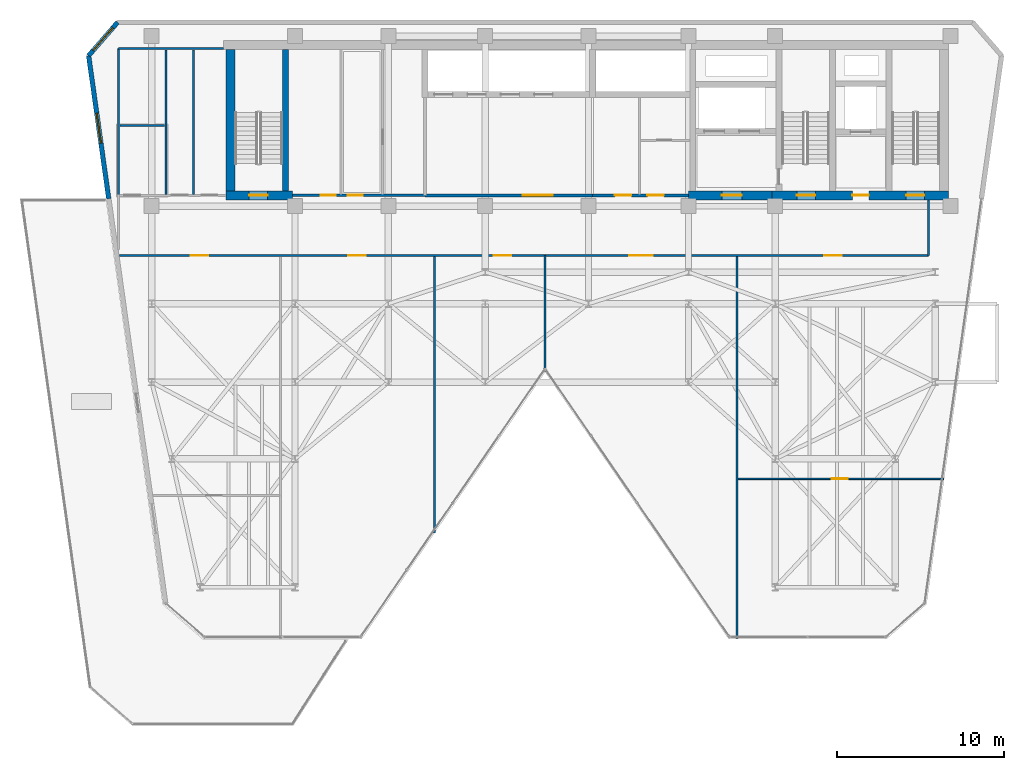
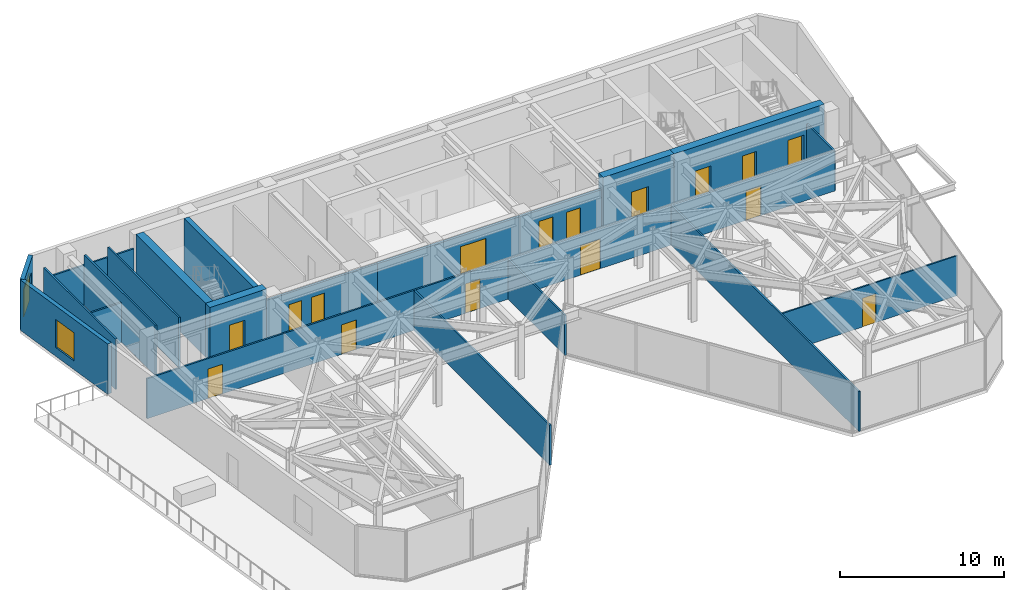
# One storey, part 17 of 21: 22 walls, 16 doors, 2 windows, 18 openings.
"""IFC4 building model written with IfcOpenShell, lengths in metres."""

from ifc_helpers import new_model, si_unit, direction, frame, frame_2d, origin, place, context, subcontext, project, spatial, rectangle, extrude, material, layer, layer_set, type_object, element, fill, save


model = new_model("IFC4")

# Units and contexts
model_context = context("Model", 3, precision=1e-05, world=origin(), true_north=direction((0.0, 1.0)))
body_context = subcontext(model_context, "Body", "Model", "MODEL_VIEW")
ifc_project = project(units=[si_unit("LENGTHUNIT", "METRE"), si_unit("AREAUNIT", "SQUARE_METRE"), si_unit("VOLUMEUNIT", "CUBIC_METRE"), si_unit("PLANEANGLEUNIT", "RADIAN"), si_unit("MASSUNIT", "GRAM", prefix="KILO")], contexts=[model_context])

# Site, building, storey
site_placement = place(None, origin())
site = spatial("IfcSite", under=ifc_project, at=site_placement, CompositionType="ELEMENT")
building_placement = place(site_placement, origin())
building = spatial("IfcBuilding", under=site, at=building_placement, Name="Kravanh Interchange Tower", CompositionType="ELEMENT")
storey_placement = place(building_placement, frame((0.0, 0.0, 160.5)))
storey = spatial("IfcBuildingStorey", under=building, at=storey_placement, Name="L38", CompositionType="ELEMENT", Elevation=160.5)

# Walls
ifc_material_1 = material(Name="Double Acoustic Gypsum Board and Mineral Wool")
ifc_layer_1 = layer(ifc_material_1, 0.1201171875)
ifc_layer_set_1 = layer_set([ifc_layer_1], Name="Acoustic Office Drywall Partition 120mm")
wall_type_1 = type_object("IfcWallType", Name="Acoustic Office Drywall Partition 120mm", PredefinedType="PARTITIONING", material=ifc_layer_set_1)
wall_1_placement = place(storey_placement, frame((16.6201171875, 38.0, 0.0), z_axis=(0.0, 0.0, 1.0), x_axis=(0.0, 1.0, 0.0)))
element("IfcWall", 1, at=wall_1_placement, inside=storey, type_object=wall_type_1, Name="L38 Restroom West Enclosure 10", PredefinedType="PARTITIONING", context=body_context, shape_type="SweptSolid", body=[
    extrude(rectangle(XDim=8.800048828125, YDim=0.1201171875, at=frame_2d((4.39990234375, 0.0))), origin(), (0.0, 0.0, 1.0), 3.7548828125),
])
wall_2_placement = place(storey_placement, frame((16.6201171875, 46.800048828125, 0.0), z_axis=(0.0, 0.0, 1.0), x_axis=(1.0, 0.0, 0.0)))
element("IfcWall", 2, at=wall_2_placement, inside=storey, type_object=wall_type_1, Name="L38 Restroom North Enclosure 11", PredefinedType="PARTITIONING", context=body_context, shape_type="SweptSolid", body=[
    extrude(rectangle(XDim=6.27978515625, YDim=0.1201171875, at=frame_2d((3.139892578125, 0.0))), origin(), (0.0, 0.0, 1.0), 2.98193359375),
])
for number, where, z_axis, x_axis, name in (
    (3, (19.449951171875, 38.068115234375, 0.0), (0.0, 0.0, 1.0), (0.0, 1.0, 0.0), "L38 Interior Partition 12"),
    (4, (21.110107421875, 38.068115234375, 0.0), (0.0, 0.0, 1.0), (0.0, 1.0, 0.0), "L38 Interior Partition 13"),
):
    element("IfcWall", number, at=place(storey_placement, frame(where, z_axis=z_axis, x_axis=x_axis)), inside=storey, type_object=wall_type_1, Name=name, PredefinedType="PARTITIONING", context=body_context, shape_type="SweptSolid", body=[
        extrude(rectangle(XDim=8.663818359375, YDim=0.1201171875, at=frame_2d((4.33203125, 0.0))), origin(), (0.0, 0.0, 1.0), 3.7548828125),
    ])
wall_3_placement = place(storey_placement, frame((16.68798828125, 42.199951171875, 0.0), z_axis=(0.0, 0.0, 1.0), x_axis=(1.0, 0.0, 0.0)))
element("IfcWall", 5, at=wall_3_placement, inside=storey, type_object=wall_type_1, Name="L38 Interior Partition 14", PredefinedType="PARTITIONING", context=body_context, shape_type="SweptSolid", body=[
    extrude(rectangle(XDim=2.694091796875, YDim=0.1201171875, at=frame_2d((1.34716796875, 0.0))), origin(), (0.0, 0.0, 1.0), 2.98193359375),
])

# Wall, openings, doors
wall_4_placement = place(storey_placement, frame((16.66943359375, 34.39990234375, 0.0), z_axis=(0.0, 0.0, 1.0), x_axis=(1.0, 0.0, 0.0)))
wall_4 = element("IfcWall", 6, at=wall_4_placement, inside=storey, type_object=wall_type_1, Name="L38 Interior Partition 15", PredefinedType="PARTITIONING", context=body_context, shape_type="SweptSolid", body=[
    extrude(rectangle(XDim=25.530517578125, YDim=0.1201171875, at=frame_2d((12.76513671875, 0.0))), origin(), (0.0, 0.0, 1.0), 2.98193359375),
])
opening_1_placement = place(wall_4_placement, frame((4.285400390625, 0.0, 0.0)))
opening_1 = element("IfcOpeningElement", 7, at=opening_1_placement, cuts=wall_4, Name="Opening D-105", PredefinedType="OPENING", context=body_context, shape_type="SweptSolid", body=[
    extrude(rectangle(XDim=1.050048828125, YDim=2.199951171875, at=frame_2d((0.52490234375, 1.10009765625))), frame((0.0, 0.070068359375, 0.0), z_axis=(0.0, -1.0, 0.0), x_axis=(1.0, 0.0, 0.0)), (0.0, 0.0, 1.0), 0.14013671875),
])
opening_2_placement = place(wall_4_placement, frame((13.710205078125, 0.0, 0.0)))
opening_2 = element("IfcOpeningElement", 8, at=opening_2_placement, cuts=wall_4, Name="Opening D-105", PredefinedType="OPENING", context=body_context, shape_type="SweptSolid", body=[
    extrude(rectangle(XDim=1.050048828125, YDim=2.199951171875, at=frame_2d((0.52490234375, 1.10009765625))), frame((0.0, 0.070068359375, 0.0), z_axis=(0.0, -1.0, 0.0), x_axis=(1.0, 0.0, 0.0)), (0.0, 0.0, 1.0), 0.14013671875),
])
opening_3_placement = place(wall_4_placement, frame((22.449462890625, 0.0, 0.0)))
opening_3 = element("IfcOpeningElement", 9, at=opening_3_placement, cuts=wall_4, Name="Opening D-105", PredefinedType="OPENING", context=body_context, shape_type="SweptSolid", body=[
    extrude(rectangle(XDim=1.050048828125, YDim=2.199951171875, at=frame_2d((0.52490234375, 1.10009765625))), frame((0.0, 0.070068359375, 0.0), z_axis=(0.0, -1.0, 0.0), x_axis=(1.0, 0.0, 0.0)), (0.0, 0.0, 1.0), 0.14013671875),
])
ifc_material_2 = material(Name="Acoustic Glazed Oak and Aluminium", Category="aluminium")
door_type_1 = type_object("IfcDoorType", Name="Office Workplace Door 1050x2200", OperationType="NOTDEFINED", PredefinedType="DOOR", material=ifc_material_2)
door_1_placement = place(opening_1_placement, origin())
door_1 = element("IfcDoor", 10, at=door_1_placement, inside=storey, type_object=door_type_1, Name="L38 West Conference Lounge Door", OperationType="SINGLE_SWING_RIGHT", OverallHeight=2.199951171875, OverallWidth=1.050048828125, PredefinedType="DOOR", context=body_context, shape_type="SweptSolid", body=[
    extrude(rectangle(XDim=1.050048828125, YDim=2.199951171875, at=frame_2d((0.52490234375, 1.10009765625))), frame((0.0, 0.02490234375, 0.0), z_axis=(0.0, -1.0, 0.0), x_axis=(1.0, 0.0, 0.0)), (0.0, 0.0, 1.0), 0.050048828125),
])
fill(opening_1, door_1)
door_2_placement = place(opening_2_placement, origin())
door_2 = element("IfcDoor", 11, at=door_2_placement, inside=storey, type_object=door_type_1, Name="L38 West Club Lounge Door", OperationType="SINGLE_SWING_RIGHT", OverallHeight=2.199951171875, OverallWidth=1.050048828125, PredefinedType="DOOR", context=body_context, shape_type="SweptSolid", body=[
    extrude(rectangle(XDim=1.050048828125, YDim=2.199951171875, at=frame_2d((0.52490234375, 1.10009765625))), frame((0.0, 0.02490234375, 0.0), z_axis=(0.0, -1.0, 0.0), x_axis=(1.0, 0.0, 0.0)), (0.0, 0.0, 1.0), 0.050048828125),
])
fill(opening_2, door_2)
door_3_placement = place(opening_3_placement, origin())
door_3 = element("IfcDoor", 12, at=door_3_placement, inside=storey, type_object=door_type_1, Name="L38 Project Huddle Meeting Door", OperationType="SINGLE_SWING_LEFT", OverallHeight=2.199951171875, OverallWidth=1.050048828125, PredefinedType="DOOR", context=body_context, shape_type="SweptSolid", body=[
    extrude(rectangle(XDim=1.050048828125, YDim=2.199951171875, at=frame_2d((0.52490234375, 1.10009765625))), frame((0.0, 0.02490234375, 0.0), z_axis=(0.0, -1.0, 0.0), x_axis=(1.0, 0.0, 0.0)), (0.0, 0.0, 1.0), 0.050048828125),
])
fill(opening_3, door_3)

wall_5_placement = place(storey_placement, frame((42.199951171875, 34.39990234375, 0.0), z_axis=(0.0, 0.0, 1.0), x_axis=(1.0, 0.0, 0.0)))
wall_5 = element("IfcWall", 13, at=wall_5_placement, inside=storey, type_object=wall_type_1, Name="L38 Interior Partition 16", PredefinedType="PARTITIONING", context=body_context, shape_type="SweptSolid", body=[
    extrude(rectangle(XDim=23.0, YDim=0.1201171875, at=frame_2d((11.5, 0.0))), origin(), (0.0, 0.0, 1.0), 2.98193359375),
])
opening_4_placement = place(wall_5_placement, frame((5.050048828125, 0.0, 0.0)))
opening_4 = element("IfcOpeningElement", 14, at=opening_4_placement, cuts=wall_5, Name="Opening DBL-140", PredefinedType="OPENING", context=body_context, shape_type="SweptSolid", body=[
    extrude(rectangle(XDim=1.39990234375, YDim=2.199951171875, at=frame_2d((0.699951171875, 1.10009765625))), frame((0.0, 0.070068359375, 0.0), z_axis=(0.0, -1.0, 0.0), x_axis=(1.0, 0.0, 0.0)), (0.0, 0.0, 1.0), 0.14013671875),
])
opening_5_placement = place(wall_5_placement, frame((16.72509765625, 0.0, 0.0)))
opening_5 = element("IfcOpeningElement", 15, at=opening_5_placement, cuts=wall_5, Name="Opening D-105", PredefinedType="OPENING", context=body_context, shape_type="SweptSolid", body=[
    extrude(rectangle(XDim=1.050048828125, YDim=2.199951171875, at=frame_2d((0.52490234375, 1.10009765625))), frame((0.0, 0.070068359375, 0.0), z_axis=(0.0, -1.0, 0.0), x_axis=(1.0, 0.0, 0.0)), (0.0, 0.0, 1.0), 0.14013671875),
])
ifc_material_3 = material(Name="Acoustic Bronze-Framed Glass", Category="glass")
door_type_2 = type_object("IfcDoorType", Name="Hospitality Lounge Double Door 1400x2200", OperationType="DOUBLE_DOOR_SINGLE_SWING", PredefinedType="DOOR", material=ifc_material_3)
door_4_placement = place(opening_4_placement, origin())
door_4 = element("IfcDoor", 16, at=door_4_placement, inside=storey, type_object=door_type_2, Name="L38 Central Forum Meeting Door", OperationType="DOUBLE_DOOR_SINGLE_SWING", OverallHeight=2.199951171875, OverallWidth=1.39990234375, PredefinedType="DOOR", context=body_context, shape_type="SweptSolid", body=[
    extrude(rectangle(XDim=1.39990234375, YDim=2.199951171875, at=frame_2d((0.699951171875, 1.10009765625))), frame((0.0, 0.02490234375, 0.0), z_axis=(0.0, -1.0, 0.0), x_axis=(1.0, 0.0, 0.0)), (0.0, 0.0, 1.0), 0.050048828125),
])
fill(opening_4, door_4)
door_5_placement = place(opening_5_placement, origin())
door_5 = element("IfcDoor", 17, at=door_5_placement, inside=storey, type_object=door_type_1, Name="L38 East Balcony Office Door", OperationType="SINGLE_SWING_RIGHT", OverallHeight=2.199951171875, OverallWidth=1.050048828125, PredefinedType="DOOR", context=body_context, shape_type="SweptSolid", body=[
    extrude(rectangle(XDim=1.050048828125, YDim=2.199951171875, at=frame_2d((0.52490234375, 1.10009765625))), frame((0.0, 0.02490234375, 0.0), z_axis=(0.0, -1.0, 0.0), x_axis=(1.0, 0.0, 0.0)), (0.0, 0.0, 1.0), 0.050048828125),
])
fill(opening_5, door_5)

# Walls
wall_6_placement = place(storey_placement, frame((65.199951171875, 34.39990234375, 0.0), z_axis=(0.0, 0.0, 1.0), x_axis=(0.0, 1.0, 0.0)))
element("IfcWall", 18, at=wall_6_placement, inside=storey, type_object=wall_type_1, Name="L38 Interior Partition 18", PredefinedType="PARTITIONING", context=body_context, shape_type="SweptSolid", body=[
    extrude(rectangle(XDim=3.317138671875, YDim=0.1201171875, at=frame_2d((1.65869140625, 0.0))), origin(), (0.0, 0.0, 1.0), 2.98193359375),
])
wall_7_placement = place(storey_placement, frame((42.199951171875, 27.426513671875, 0.0), z_axis=(0.0, 0.0, 1.0), x_axis=(0.0, 1.0, 0.0)))
element("IfcWall", 19, at=wall_7_placement, inside=storey, type_object=wall_type_1, Name="L38 Interior Partition 19", PredefinedType="PARTITIONING", context=body_context, shape_type="SweptSolid", body=[
    extrude(rectangle(XDim=6.973388671875, YDim=0.1201171875, at=frame_2d((3.48681640625, 0.0))), origin(), (0.0, 0.0, 1.0), 2.98193359375),
])
wall_8_placement = place(storey_placement, frame((35.550048828125, 17.753662109375, 0.0), z_axis=(0.0, 0.0, 1.0), x_axis=(0.0, 1.0, 0.0)))
element("IfcWall", 20, at=wall_8_placement, inside=storey, type_object=wall_type_1, Name="L38 Interior Partition 22", PredefinedType="PARTITIONING", context=body_context, shape_type="SweptSolid", body=[
    extrude(rectangle(XDim=16.578369140625, YDim=0.1201171875, at=frame_2d((8.2890625, 0.0))), origin(), (0.0, 0.0, 1.0), 2.98193359375),
])
wall_9_placement = place(storey_placement, frame((53.699951171875, 11.4150390625, 0.0), z_axis=(0.0, 0.0, 1.0), x_axis=(0.0, 1.0, 0.0)))
element("IfcWall", 21, at=wall_9_placement, inside=storey, type_object=wall_type_1, Name="L38 Interior Partition 23", PredefinedType="PARTITIONING", context=body_context, shape_type="SweptSolid", body=[
    extrude(rectangle(XDim=22.9169921875, YDim=0.1201171875, at=frame_2d((11.45849609375, 0.0))), origin(), (0.0, 0.0, 1.0), 2.98193359375),
])
ifc_material_4 = material(Name="Concrete C60/75", Category="concrete")
ifc_layer_2 = layer(ifc_material_4, 0.35009765625)
ifc_layer_set_2 = layer_set([ifc_layer_2], Name="Core Shear Wall Concrete C60/75 350mm")
wall_type_2 = type_object("IfcWallType", Name="Core Shear Wall Concrete C60/75 350mm", PredefinedType="SHEAR", material=ifc_layer_set_2)
wall_10_placement = place(storey_placement, frame((26.625, 38.27490234375, 0.0), z_axis=(0.0, 0.0, 1.0), x_axis=(0.0, 1.0, 0.0)))
element("IfcWall", 22, at=wall_10_placement, inside=storey, type_object=wall_type_2, Name="L38 Stair ST3 East Shear Wall", PredefinedType="SHEAR", context=body_context, shape_type="SweptSolid", body=[
    extrude(rectangle(XDim=8.47509765625, YDim=0.35009765625, at=frame_2d((4.237548828125, 0.0))), origin(), (0.0, 0.0, 1.0), 4.0),
])

# Wall, openings, doors
ifc_material_5 = material(Name="Concrete C70/85", Category="concrete")
ifc_layer_3 = layer(ifc_material_5, 0.550048828125)
ifc_layer_set_3 = layer_set([ifc_layer_3], Name="Core Shear Wall Concrete C70/85 550mm")
wall_type_3 = type_object("IfcWallType", Name="Core Shear Wall Concrete C70/85 550mm", PredefinedType="SHEAR", material=ifc_layer_set_3)
wall_11_placement = place(storey_placement, frame((55.800048828125, 38.0, 0.0), z_axis=(0.0, 0.0, 1.0), x_axis=(1.0, 0.0, 0.0)))
wall_11 = element("IfcWall", 23, at=wall_11_placement, inside=storey, type_object=wall_type_3, Name="L38 East Core South Shear Wall", PredefinedType="SHEAR", context=body_context, shape_type="SweptSolid", body=[
    extrude(rectangle(XDim=10.599853515625, YDim=0.550048828125, at=frame_2d((5.2998046875, 0.0))), origin(), (0.0, 0.0, 1.0), 4.0),
])
opening_6_placement = place(wall_11_placement, frame((1.5, 0.0, 0.0)))
opening_6 = element("IfcOpeningElement", 24, at=opening_6_placement, cuts=wall_11, Name="Opening D-STAIR-110", PredefinedType="OPENING", context=body_context, shape_type="SweptSolid", body=[
    extrude(rectangle(XDim=1.10009765625, YDim=2.199951171875, at=frame_2d((0.550048828125, 1.10009765625))), frame((0.0, 0.28515625, 0.0), z_axis=(0.0, -1.0, 0.0), x_axis=(1.0, 0.0, 0.0)), (0.0, 0.0, 1.0), 0.570068359375),
])
opening_7_placement = place(wall_11_placement, frame((4.820068359375, 0.0, 0.0)))
opening_7 = element("IfcOpeningElement", 25, at=opening_7_placement, cuts=wall_11, Name="Opening D-HOTEL-100", PredefinedType="OPENING", context=body_context, shape_type="SweptSolid", body=[
    extrude(rectangle(XDim=1.0, YDim=2.14990234375, at=frame_2d((0.5, 1.074951171875))), frame((0.0, 0.28515625, 0.0), z_axis=(0.0, -1.0, 0.0), x_axis=(1.0, 0.0, 0.0)), (0.0, 0.0, 1.0), 0.570068359375),
])
opening_8_placement = place(wall_11_placement, frame((8.050048828125, 0.0, 0.0)))
opening_8 = element("IfcOpeningElement", 26, at=opening_8_placement, cuts=wall_11, Name="Opening D-STAIR-110", PredefinedType="OPENING", context=body_context, shape_type="SweptSolid", body=[
    extrude(rectangle(XDim=1.10009765625, YDim=2.199951171875, at=frame_2d((0.550048828125, 1.10009765625))), frame((0.0, 0.28515625, 0.0), z_axis=(0.0, -1.0, 0.0), x_axis=(1.0, 0.0, 0.0)), (0.0, 0.0, 1.0), 0.570068359375),
])
ifc_material_6 = material(Name="Structural Steel S355", Category="steel")
door_type_3 = type_object("IfcDoorType", Name="Fire-Rated Exit Stair Door 1100x2200", OperationType="NOTDEFINED", PredefinedType="DOOR", material=ifc_material_6)
door_6_placement = place(opening_6_placement, origin())
door_6 = element("IfcDoor", 27, at=door_6_placement, inside=storey, type_object=door_type_3, Name="L38 Exit Stair ST2 Door", OperationType="SINGLE_SWING_RIGHT", OverallHeight=2.199951171875, OverallWidth=1.10009765625, PredefinedType="DOOR", context=body_context, shape_type="SweptSolid", body=[
    extrude(rectangle(XDim=1.10009765625, YDim=2.199951171875, at=frame_2d((0.550048828125, 1.10009765625))), frame((0.0, 0.02490234375, 0.0), z_axis=(0.0, -1.0, 0.0), x_axis=(1.0, 0.0, 0.0)), (0.0, 0.0, 1.0), 0.050048828125),
])
fill(opening_6, door_6)
door_7_placement = place(opening_8_placement, origin())
door_7 = element("IfcDoor", 28, at=door_7_placement, inside=storey, type_object=door_type_3, Name="L38 Exit Stair ST1 Door", OperationType="SINGLE_SWING_RIGHT", OverallHeight=2.199951171875, OverallWidth=1.10009765625, PredefinedType="DOOR", context=body_context, shape_type="SweptSolid", body=[
    extrude(rectangle(XDim=1.10009765625, YDim=2.199951171875, at=frame_2d((0.550048828125, 1.10009765625))), frame((0.0, 0.02490234375, 0.0), z_axis=(0.0, -1.0, 0.0), x_axis=(1.0, 0.0, 0.0)), (0.0, 0.0, 1.0), 0.050048828125),
])
fill(opening_8, door_7)
ifc_material_7 = material(Name="Fire-Rated Solid Timber Leaf", Category="wood")
door_type_4 = type_object("IfcDoorType", Name="Fire-Rated Suite Entrance Door 1000x2150", OperationType="NOTDEFINED", PredefinedType="DOOR", material=ifc_material_7)
door_8_placement = place(opening_7_placement, origin())
door_8 = element("IfcDoor", 29, at=door_8_placement, inside=storey, type_object=door_type_4, Name="L38 Service Lift Lobby Door", OperationType="SINGLE_SWING_RIGHT", OverallHeight=2.14990234375, OverallWidth=1.0, PredefinedType="DOOR", context=body_context, shape_type="SweptSolid", body=[
    extrude(rectangle(XDim=1.0, YDim=2.14990234375, at=frame_2d((0.5, 1.074951171875))), frame((0.0, 0.02490234375, 0.0), z_axis=(0.0, -1.0, 0.0), x_axis=(1.0, 0.0, 0.0)), (0.0, 0.0, 1.0), 0.050048828125),
])
fill(opening_7, door_8)

# Wall, opening, door
wall_12_placement = place(storey_placement, frame((50.800048828125, 38.0, 0.0), z_axis=(0.0, 0.0, 1.0), x_axis=(1.0, 0.0, 0.0)))
wall_12 = element("IfcWall", 30, at=wall_12_placement, inside=storey, type_object=wall_type_3, Name="L38 Firefighting Lobby South Shear Wall", PredefinedType="SHEAR", context=body_context, shape_type="SweptSolid", body=[
    extrude(rectangle(XDim=5.0, YDim=0.550048828125, at=frame_2d((2.5, 0.0))), origin(), (0.0, 0.0, 1.0), 4.0),
])
opening_9_placement = place(wall_12_placement, frame((2.0, 0.0, 0.0)))
opening_9 = element("IfcOpeningElement", 31, at=opening_9_placement, cuts=wall_12, Name="Opening D-FSAE-120", PredefinedType="OPENING", context=body_context, shape_type="SweptSolid", body=[
    extrude(rectangle(XDim=1.199951171875, YDim=2.199951171875, at=frame_2d((0.60009765625, 1.10009765625))), frame((0.0, 0.28515625, 0.0), z_axis=(0.0, -1.0, 0.0), x_axis=(1.0, 0.0, 0.0)), (0.0, 0.0, 1.0), 0.570068359375),
])
ifc_material_8 = material(Name="Structural Steel S355", Category="steel")
door_type_5 = type_object("IfcDoorType", Name="Fire-Rated Refuge and FSAE Door 1200x2200", OperationType="NOTDEFINED", PredefinedType="DOOR", material=ifc_material_8)
door_9_placement = place(opening_9_placement, origin())
door_9 = element("IfcDoor", 32, at=door_9_placement, inside=storey, type_object=door_type_5, Name="L38 Firefighting Lobby Corridor Door", OperationType="SINGLE_SWING_RIGHT", OverallHeight=2.199951171875, OverallWidth=1.199951171875, PredefinedType="DOOR", context=body_context, shape_type="SweptSolid", body=[
    extrude(rectangle(XDim=1.199951171875, YDim=2.199951171875, at=frame_2d((0.60009765625, 1.10009765625))), frame((0.0, 0.02490234375, 0.0), z_axis=(0.0, -1.0, 0.0), x_axis=(1.0, 0.0, 0.0)), (0.0, 0.0, 1.0), 0.050048828125),
])
fill(opening_9, door_9)

wall_13_placement = place(storey_placement, frame((23.050048828125, 38.0, 0.0), z_axis=(0.0, 0.0, 1.0), x_axis=(1.0, 0.0, 0.0)))
wall_13 = element("IfcWall", 33, at=wall_13_placement, inside=storey, type_object=wall_type_3, Name="L38 Stair ST3 South Shear Wall", PredefinedType="SHEAR", context=body_context, shape_type="SweptSolid", body=[
    extrude(rectangle(XDim=4.0, YDim=0.550048828125, at=frame_2d((2.0, 0.0))), origin(), (0.0, 0.0, 1.0), 4.0),
])
opening_10_placement = place(wall_13_placement, frame((1.39990234375, 0.0, 0.0)))
opening_10 = element("IfcOpeningElement", 34, at=opening_10_placement, cuts=wall_13, Name="Opening D-STAIR-110", PredefinedType="OPENING", context=body_context, shape_type="SweptSolid", body=[
    extrude(rectangle(XDim=1.10009765625, YDim=2.199951171875, at=frame_2d((0.550048828125, 1.10009765625))), frame((0.0, 0.28515625, 0.0), z_axis=(0.0, -1.0, 0.0), x_axis=(1.0, 0.0, 0.0)), (0.0, 0.0, 1.0), 0.570068359375),
])
door_10_placement = place(opening_10_placement, origin())
door_10 = element("IfcDoor", 35, at=door_10_placement, inside=storey, type_object=door_type_3, Name="L38 Exit Stair ST3 Door", OperationType="SINGLE_SWING_RIGHT", OverallHeight=2.199951171875, OverallWidth=1.10009765625, PredefinedType="DOOR", context=body_context, shape_type="SweptSolid", body=[
    extrude(rectangle(XDim=1.10009765625, YDim=2.199951171875, at=frame_2d((0.550048828125, 1.10009765625))), frame((0.0, 0.02490234375, 0.0), z_axis=(0.0, -1.0, 0.0), x_axis=(1.0, 0.0, 0.0)), (0.0, 0.0, 1.0), 0.050048828125),
])
fill(opening_10, door_10)

# Wall
wall_14_placement = place(storey_placement, frame((23.324951171875, 38.27490234375, 0.0), z_axis=(0.0, 0.0, 1.0), x_axis=(0.0, 1.0, 0.0)))
element("IfcWall", 36, at=wall_14_placement, inside=storey, type_object=wall_type_3, Name="L38 Stair ST3 West Shear Wall", PredefinedType="SHEAR", context=body_context, shape_type="SweptSolid", body=[
    extrude(rectangle(XDim=8.47509765625, YDim=0.550048828125, at=frame_2d((4.237548828125, 0.0))), origin(), (0.0, 0.0, 1.0), 4.0),
])

# Wall, opening, door
ifc_material_9 = material(Name="Moisture-Resistant Gypsum Board and Mineral Wool")
ifc_layer_4 = layer(ifc_material_9, 0.10009765625)
ifc_layer_set_4 = layer_set([ifc_layer_4], Name="En-Suite Moisture-Resistant Partition 100mm")
wall_type_4 = type_object("IfcWallType", Name="En-Suite Moisture-Resistant Partition 100mm", PredefinedType="PARTITIONING", material=ifc_layer_set_4)
wall_15_placement = place(storey_placement, frame((53.76806640625, 21.0, 0.0), z_axis=(0.0, 0.0, 1.0), x_axis=(1.0, 0.0, 0.0)))
wall_15 = element("IfcWall", 37, at=wall_15_placement, inside=storey, type_object=wall_type_4, Name="L38 Interior Partition 24", PredefinedType="PARTITIONING", context=body_context, shape_type="SweptSolid", body=[
    extrude(rectangle(XDim=12.35205078125, YDim=0.10009765625, at=frame_2d((6.176025390625, 0.0))), origin(), (0.0, 0.0, 1.0), 2.98193359375),
])
opening_11_placement = place(wall_15_placement, frame((5.626953125, 0.0, 0.0)))
opening_11 = element("IfcOpeningElement", 38, at=opening_11_placement, cuts=wall_15, Name="Opening D-95", PredefinedType="OPENING", context=body_context, shape_type="SweptSolid", body=[
    extrude(rectangle(XDim=0.949951171875, YDim=2.14990234375, at=frame_2d((0.47509765625, 1.074951171875))), frame((0.0, 0.06005859375, 0.0), z_axis=(0.0, -1.0, 0.0), x_axis=(1.0, 0.0, 0.0)), (0.0, 0.0, 1.0), 0.1201171875),
])
ifc_material_10 = material(Name="Laminate Solid-Core Timber", Category="wood")
door_type_6 = type_object("IfcDoorType", Name="Accessible Restroom Door 950x2150", OperationType="NOTDEFINED", PredefinedType="DOOR", material=ifc_material_10)
door_11_placement = place(opening_11_placement, origin())
door_11 = element("IfcDoor", 39, at=door_11_placement, inside=storey, type_object=door_type_6, Name="L38 Breakout Tea Kitchenette Inner Door", OperationType="SINGLE_SWING_LEFT", OverallHeight=2.14990234375, OverallWidth=0.949951171875, PredefinedType="DOOR", context=body_context, shape_type="SweptSolid", body=[
    extrude(rectangle(XDim=0.949951171875, YDim=2.14990234375, at=frame_2d((0.47509765625, 1.074951171875))), frame((0.0, 0.02490234375, 0.0), z_axis=(0.0, -1.0, 0.0), x_axis=(1.0, 0.0, 0.0)), (0.0, 0.0, 1.0), 0.050048828125),
])
fill(opening_11, door_11)

# Wall, opening, window
ifc_material_11 = material(Name="Insulated Precast Concrete C40/50 with Bronze Cladding", Category="concrete")
ifc_layer_5 = layer(ifc_material_11, 0.280029296875)
ifc_layer_set_5 = layer_set([ifc_layer_5], Name="Exterior Insulated Concrete C40/50 Bronze Spandrel Wall 280mm")
wall_type_5 = type_object("IfcWallType", Name="Exterior Insulated Concrete C40/50 Bronze Spandrel Wall 280mm", PredefinedType="STANDARD", material=ifc_layer_set_5)
wall_16_placement = place(storey_placement, frame((16.02490234375, 37.800048828125, 0.0), z_axis=(0.0, 0.0, 1.0), x_axis=(-0.13918102754, 0.990266954701, 0.0)))
wall_16 = element("IfcWall", 40, at=wall_16_placement, inside=storey, type_object=wall_type_5, Name="L38 Exterior Wall 2", PredefinedType="STANDARD", context=body_context, shape_type="SweptSolid", body=[
    extrude(rectangle(XDim=8.667236328125, YDim=0.280029296875, at=frame_2d((4.33349609375, 0.0))), origin(), (0.0, 0.0, 1.0), 3.7548828125),
])
opening_12_placement = place(wall_16_placement, frame((3.37353515625, 0.0, 0.64990234375)))
opening_12 = element("IfcOpeningElement", 41, at=opening_12_placement, cuts=wall_16, Name="Opening WN-180X210", PredefinedType="OPENING", context=body_context, shape_type="SweptSolid", body=[
    extrude(rectangle(XDim=1.800048828125, YDim=2.10009765625, at=frame_2d((0.89990234375, 1.050048828125))), frame((0.0, 0.14990234375, 0.0), z_axis=(0.0, -1.0, 0.0), x_axis=(1.0, 0.0, 0.0)), (0.0, 0.0, 1.0), 0.300048828125),
])
ifc_material_12 = material(Name="Thermally Broken Bronze Aluminium and Low-E Glass", Category="aluminium")
window_type = type_object("IfcWindowType", Name="Tower Pier Window 1800x2100", PartitioningType="SINGLE_PANEL", PredefinedType="WINDOW", material=ifc_material_12)
window_1_placement = place(opening_12_placement, origin())
window_1 = element("IfcWindow", 42, at=window_1_placement, inside=storey, type_object=window_type, Name="L38 Corner Window 2", OverallHeight=2.10009765625, OverallWidth=1.800048828125, PartitioningType="SINGLE_PANEL", PredefinedType="WINDOW", context=body_context, shape_type="SweptSolid", body=[
    extrude(rectangle(XDim=1.800048828125, YDim=2.10009765625, at=frame_2d((0.89990234375, 1.050048828125))), frame((0.0, 0.030029296875, 0.0), z_axis=(0.0, -1.0, 0.0), x_axis=(1.0, 0.0, 0.0)), (0.0, 0.0, 1.0), 0.06005859375),
])
fill(opening_12, window_1)

wall_17_placement = place(storey_placement, frame((14.818603515625, 46.3828125, 0.0), z_axis=(0.0, 0.0, 1.0), x_axis=(0.656071351282, 0.754698868442, 0.0)))
wall_17 = element("IfcWall", 43, at=wall_17_placement, inside=storey, type_object=wall_type_5, Name="L38 Exterior Wall 3", PredefinedType="STANDARD", context=body_context, shape_type="SweptSolid", body=[
    extrude(rectangle(XDim=2.646240234375, YDim=0.280029296875, at=frame_2d((1.3232421875, 0.0))), origin(), (0.0, 0.0, 1.0), 3.7548828125),
])
opening_13_placement = place(wall_17_placement, frame((0.41552734375, 0.0, 0.64990234375)))
opening_13 = element("IfcOpeningElement", 44, at=opening_13_placement, cuts=wall_17, Name="Opening WN-180X210", PredefinedType="OPENING", context=body_context, shape_type="SweptSolid", body=[
    extrude(rectangle(XDim=1.800048828125, YDim=2.10009765625, at=frame_2d((0.89990234375, 1.050048828125))), frame((0.0, 0.14990234375, 0.0), z_axis=(0.0, -1.0, 0.0), x_axis=(1.0, 0.0, 0.0)), (0.0, 0.0, 1.0), 0.300048828125),
])
window_2_placement = place(opening_13_placement, origin())
window_2 = element("IfcWindow", 45, at=window_2_placement, inside=storey, type_object=window_type, Name="L38 Corner Window 3", OverallHeight=2.10009765625, OverallWidth=1.800048828125, PartitioningType="SINGLE_PANEL", PredefinedType="WINDOW", context=body_context, shape_type="SweptSolid", body=[
    extrude(rectangle(XDim=1.800048828125, YDim=2.10009765625, at=frame_2d((0.89990234375, 1.050048828125))), frame((0.0, 0.030029296875, 0.0), z_axis=(0.0, -1.0, 0.0), x_axis=(1.0, 0.0, 0.0)), (0.0, 0.0, 1.0), 0.06005859375),
])
fill(opening_13, window_2)

# Wall, openings, doors
ifc_material_13 = material(Name="Autoclaved Aerated Concrete C30/37 Blockwork", Category="masonry")
ifc_layer_6 = layer(ifc_material_13, 0.179931640625)
ifc_layer_set_6 = layer_set([ifc_layer_6], Name="Fire-Rated Lobby and Corridor Wall Concrete C30/37 180mm")
wall_type_6 = type_object("IfcWallType", Name="Fire-Rated Lobby and Corridor Wall Concrete C30/37 180mm", PredefinedType="STANDARD", material=ifc_layer_set_6)
wall_18_placement = place(storey_placement, frame((45.050048828125, 38.0, 0.0), z_axis=(0.0, 0.0, 1.0), x_axis=(1.0, 0.0, 0.0)))
wall_18 = element("IfcWall", 46, at=wall_18_placement, inside=storey, type_object=wall_type_6, Name="L38 Core South Enclosure 1", PredefinedType="STANDARD", context=body_context, shape_type="SweptSolid", body=[
    extrude(rectangle(XDim=5.75, YDim=0.179931640625, at=frame_2d((2.875, 0.0))), origin(), (0.0, 0.0, 1.0), 2.98193359375),
])
opening_14_placement = place(wall_18_placement, frame((1.324951171875, 0.0, 0.0)))
opening_14 = element("IfcOpeningElement", 47, at=opening_14_placement, cuts=wall_18, Name="Opening D-HOTEL-100", PredefinedType="OPENING", context=body_context, shape_type="SweptSolid", body=[
    extrude(rectangle(XDim=1.0, YDim=2.14990234375, at=frame_2d((0.5, 1.074951171875))), frame((0.0, 0.10009765625, 0.0), z_axis=(0.0, -1.0, 0.0), x_axis=(1.0, 0.0, 0.0)), (0.0, 0.0, 1.0), 0.199951171875),
])
opening_15_placement = place(wall_18_placement, frame((3.27490234375, 0.0, 0.0)))
opening_15 = element("IfcOpeningElement", 48, at=opening_15_placement, cuts=wall_18, Name="Opening D-HOTEL-100", PredefinedType="OPENING", context=body_context, shape_type="SweptSolid", body=[
    extrude(rectangle(XDim=1.0, YDim=2.14990234375, at=frame_2d((0.5, 1.074951171875))), frame((0.0, 0.10009765625, 0.0), z_axis=(0.0, -1.0, 0.0), x_axis=(1.0, 0.0, 0.0)), (0.0, 0.0, 1.0), 0.199951171875),
])
door_12_placement = place(opening_14_placement, origin())
door_12 = element("IfcDoor", 49, at=door_12_placement, inside=storey, type_object=door_type_4, Name="L38 Core Metering Door", OperationType="SINGLE_SWING_LEFT", OverallHeight=2.14990234375, OverallWidth=1.0, PredefinedType="DOOR", context=body_context, shape_type="SweptSolid", body=[
    extrude(rectangle(XDim=1.0, YDim=2.14990234375, at=frame_2d((0.5, 1.074951171875))), frame((0.0, 0.02490234375, 0.0), z_axis=(0.0, -1.0, 0.0), x_axis=(1.0, 0.0, 0.0)), (0.0, 0.0, 1.0), 0.050048828125),
])
fill(opening_14, door_12)
door_13_placement = place(opening_15_placement, origin())
door_13 = element("IfcDoor", 50, at=door_13_placement, inside=storey, type_object=door_type_4, Name="L38 Core Copy Room Door", OperationType="SINGLE_SWING_RIGHT", OverallHeight=2.14990234375, OverallWidth=1.0, PredefinedType="DOOR", context=body_context, shape_type="SweptSolid", body=[
    extrude(rectangle(XDim=1.0, YDim=2.14990234375, at=frame_2d((0.5, 1.074951171875))), frame((0.0, 0.02490234375, 0.0), z_axis=(0.0, -1.0, 0.0), x_axis=(1.0, 0.0, 0.0)), (0.0, 0.0, 1.0), 0.050048828125),
])
fill(opening_15, door_13)

# Wall, opening, door
wall_19_placement = place(storey_placement, frame((35.0, 38.0, 0.0), z_axis=(0.0, 0.0, 1.0), x_axis=(1.0, 0.0, 0.0)))
wall_19 = element("IfcWall", 51, at=wall_19_placement, inside=storey, type_object=wall_type_6, Name="L38 Interior Partition 8", PredefinedType="STANDARD", context=body_context, shape_type="SweptSolid", body=[
    extrude(rectangle(XDim=10.050048828125, YDim=0.179931640625, at=frame_2d((5.02490234375, 0.0))), origin(), (0.0, 0.0, 1.0), 2.98193359375),
])
opening_16_placement = place(wall_19_placement, frame((5.85791015625, 0.0, 0.0)))
opening_16 = element("IfcOpeningElement", 52, at=opening_16_placement, cuts=wall_19, Name="Opening DBL-180", PredefinedType="OPENING", context=body_context, shape_type="SweptSolid", body=[
    extrude(rectangle(XDim=1.800048828125, YDim=2.199951171875, at=frame_2d((0.89990234375, 1.10009765625))), frame((0.0, 0.10009765625, 0.0), z_axis=(0.0, -1.0, 0.0), x_axis=(1.0, 0.0, 0.0)), (0.0, 0.0, 1.0), 0.199951171875),
])
ifc_material_14 = material(Name="Structural Steel S355", Category="steel")
door_type_7 = type_object("IfcDoorType", Name="Lift Lobby Double Fire Door 1800x2200", OperationType="DOUBLE_DOOR_SINGLE_SWING", PredefinedType="DOOR", material=ifc_material_14)
door_14_placement = place(opening_16_placement, origin())
door_14 = element("IfcDoor", 53, at=door_14_placement, inside=storey, type_object=door_type_7, Name="L38 Mid-Rise Lift Lobby Door", OperationType="DOUBLE_DOOR_SINGLE_SWING", OverallHeight=2.199951171875, OverallWidth=1.800048828125, PredefinedType="DOOR", context=body_context, shape_type="SweptSolid", body=[
    extrude(rectangle(XDim=1.800048828125, YDim=2.199951171875, at=frame_2d((0.89990234375, 1.10009765625))), frame((0.0, 0.02490234375, 0.0), z_axis=(0.0, -1.0, 0.0), x_axis=(1.0, 0.0, 0.0)), (0.0, 0.0, 1.0), 0.050048828125),
])
fill(opening_16, door_14)

# Wall, openings, doors
ifc_material_15 = material(Name="Twin Stud Acoustic Gypsum Board Wall")
ifc_layer_7 = layer(ifc_material_15, 0.14990234375)
ifc_layer_set_7 = layer_set([ifc_layer_7], Name="Medium-Duty Acoustic Partition 150mm")
wall_type_7 = type_object("IfcWallType", Name="Medium-Duty Acoustic Partition 150mm", PredefinedType="PARTITIONING", material=ifc_layer_set_7)
wall_20_placement = place(storey_placement, frame((27.050048828125, 38.0, 0.0), z_axis=(0.0, 0.0, 1.0), x_axis=(1.0, 0.0, 0.0)))
wall_20 = element("IfcWall", 54, at=wall_20_placement, inside=storey, type_object=wall_type_7, Name="L38 Interior Partition 4", PredefinedType="PARTITIONING", context=body_context, shape_type="SweptSolid", body=[
    extrude(rectangle(XDim=7.949951171875, YDim=0.14990234375, at=frame_2d((3.97509765625, 0.0))), origin(), (0.0, 0.0, 1.0), 2.98193359375),
])
opening_17_placement = place(wall_20_placement, frame((1.699951171875, 0.0, 0.0)))
opening_17 = element("IfcOpeningElement", 55, at=opening_17_placement, cuts=wall_20, Name="Opening D-90", PredefinedType="OPENING", context=body_context, shape_type="SweptSolid", body=[
    extrude(rectangle(XDim=0.89990234375, YDim=2.10009765625, at=frame_2d((0.449951171875, 1.050048828125))), frame((0.0, 0.0849609375, 0.0), z_axis=(0.0, -1.0, 0.0), x_axis=(1.0, 0.0, 0.0)), (0.0, 0.0, 1.0), 0.169921875),
])
opening_18_placement = place(wall_20_placement, frame((3.300048828125, 0.0, 0.0)))
opening_18 = element("IfcOpeningElement", 56, at=opening_18_placement, cuts=wall_20, Name="Opening D-90", PredefinedType="OPENING", context=body_context, shape_type="SweptSolid", body=[
    extrude(rectangle(XDim=0.89990234375, YDim=2.10009765625, at=frame_2d((0.449951171875, 1.050048828125))), frame((0.0, 0.0849609375, 0.0), z_axis=(0.0, -1.0, 0.0), x_axis=(1.0, 0.0, 0.0)), (0.0, 0.0, 1.0), 0.169921875),
])
ifc_material_16 = material(Name="Painted Solid-Core Timber", Category="wood")
door_type_8 = type_object("IfcDoorType", Name="Service Room Door 900x2100", OperationType="NOTDEFINED", PredefinedType="DOOR", material=ifc_material_16)
door_15_placement = place(opening_17_placement, origin())
door_15 = element("IfcDoor", 57, at=door_15_placement, inside=storey, type_object=door_type_8, Name="L38 First Aid Lobby Door", OperationType="SINGLE_SWING_RIGHT", OverallHeight=2.10009765625, OverallWidth=0.89990234375, PredefinedType="DOOR", context=body_context, shape_type="SweptSolid", body=[
    extrude(rectangle(XDim=0.89990234375, YDim=2.10009765625, at=frame_2d((0.449951171875, 1.050048828125))), frame((0.0, 0.02490234375, 0.0), z_axis=(0.0, -1.0, 0.0), x_axis=(1.0, 0.0, 0.0)), (0.0, 0.0, 1.0), 0.050048828125),
])
fill(opening_17, door_15)
door_16_placement = place(opening_18_placement, origin())
door_16 = element("IfcDoor", 58, at=door_16_placement, inside=storey, type_object=door_type_8, Name="L38 Lactation Suite Door", OperationType="SINGLE_SWING_LEFT", OverallHeight=2.10009765625, OverallWidth=0.89990234375, PredefinedType="DOOR", context=body_context, shape_type="SweptSolid", body=[
    extrude(rectangle(XDim=0.89990234375, YDim=2.10009765625, at=frame_2d((0.449951171875, 1.050048828125))), frame((0.0, 0.02490234375, 0.0), z_axis=(0.0, -1.0, 0.0), x_axis=(1.0, 0.0, 0.0)), (0.0, 0.0, 1.0), 0.050048828125),
])
fill(opening_18, door_16)

save(model, "model.ifc")
